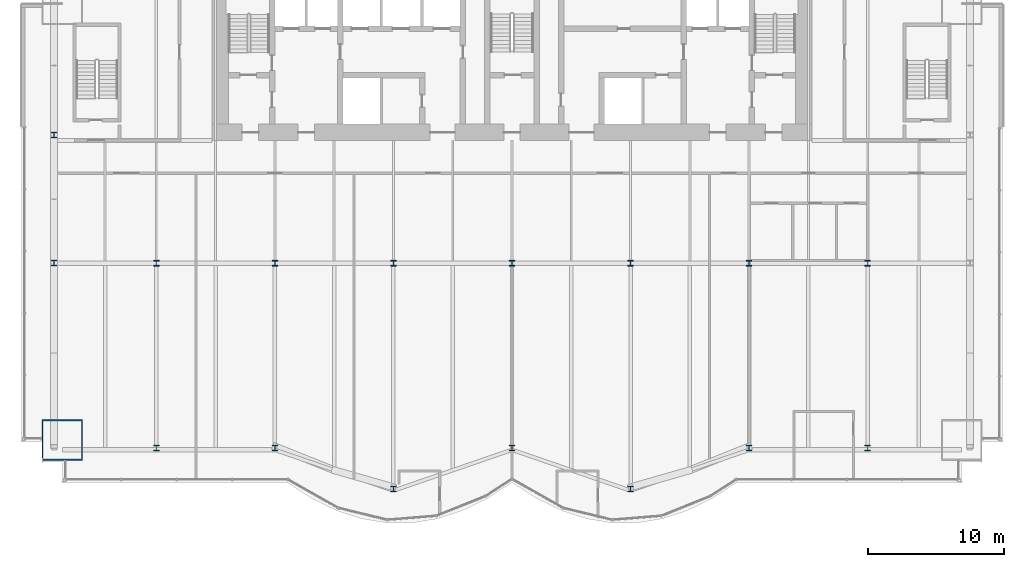
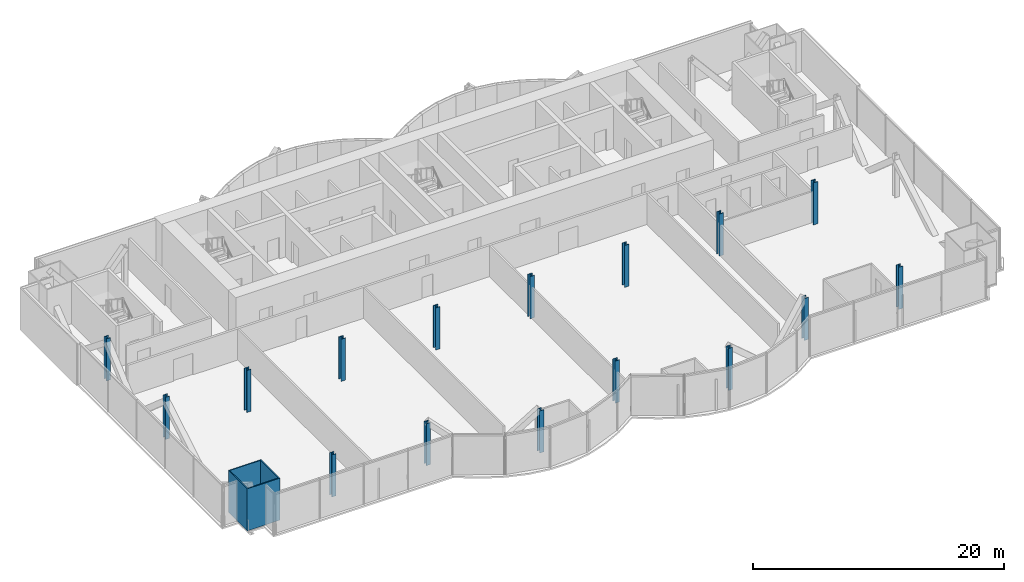
# One storey, part 1 of 21: 17 columns.
"""IFC4 building model written with IfcOpenShell, lengths in metres."""

from ifc_helpers import new_model, si_unit, direction, frame, origin, origin_2d, place, context, subcontext, project, spatial, hollow_rectangle, i_section, extrude, material, material_profile, profile_set, type_object, element, save


model = new_model("IFC4")

# Units and contexts
model_context = context("Model", 3, precision=1e-05, world=origin(), true_north=direction((0.0, 1.0)))
body_context = subcontext(model_context, "Body", "Model", "MODEL_VIEW")
ifc_project = project(units=[si_unit("LENGTHUNIT", "METRE"), si_unit("AREAUNIT", "SQUARE_METRE"), si_unit("VOLUMEUNIT", "CUBIC_METRE"), si_unit("PLANEANGLEUNIT", "RADIAN"), si_unit("MASSUNIT", "GRAM", prefix="KILO")], contexts=[model_context])

# Site, building, storey
site_placement = place(None, origin())
site = spatial("IfcSite", under=ifc_project, at=site_placement, CompositionType="ELEMENT")
building_placement = place(site_placement, origin())
building = spatial("IfcBuilding", under=site, at=building_placement, Name="Bicima Exchange Tower", CompositionType="ELEMENT")
storey_placement = place(building_placement, frame((0.0, 0.0, 106.300048828125)))
storey = spatial("IfcBuildingStorey", under=building, at=storey_placement, Name="L22", CompositionType="ELEMENT", Elevation=106.300048828125)

# Columns
ifc_material_1 = material(Name="Steel ASTM A992 Gr 50", Category="steel")
ifc_material_profile_1 = material_profile(ifc_material_1, i_section(OverallWidth=0.406494140625, OverallDepth=0.41650390625, WebThickness=0.030029296875, FlangeThickness=0.048095703125, at=origin_2d()))
ifc_profile_set_1 = profile_set([ifc_material_profile_1], Name="Steel ASTM A992 Gr 50")
column_type_1 = type_object("IfcColumnType", Name="Interior column W14x257", PredefinedType="COLUMN", material=ifc_profile_set_1)
for number, where, z_axis, x_axis, name in (
    (1, (-26.10009765625, -22.0, 0.0), (0.0, 0.0, 1.0), (1.0, 0.0, 0.0), "Interior column interior-26.1i"),
    (2, (-17.39990234375, -22.0, 0.0), (0.0, 0.0, 1.0), (1.0, 0.0, 0.0), "Interior column interior-17.4i"),
    (3, (-8.699951171875, -22.0, 0.0), (0.0, 0.0, 1.0), (1.0, 0.0, 0.0), "Interior column interior-8.7i"),
    (4, (0.0, -22.0, 0.0), (0.0, 0.0, 1.0), (1.0, 0.0, 0.0), "Interior column interior+0.0i"),
    (5, (8.699951171875, -22.0, 0.0), (0.0, 0.0, 1.0), (1.0, 0.0, 0.0), "Interior column interior+8.7i"),
    (6, (17.39990234375, -22.0, 0.0), (0.0, 0.0, 1.0), (1.0, 0.0, 0.0), "Interior column interior+17.4i"),
    (7, (26.10009765625, -22.0, 0.0), (0.0, 0.0, 1.0), (1.0, 0.0, 0.0), "Interior column interior+26.1i"),
):
    element("IfcColumn", number, at=place(storey_placement, frame(where, z_axis=z_axis, x_axis=x_axis)), inside=storey, type_object=column_type_1, Name=name, PredefinedType="COLUMN", context=body_context, shape_type="SweptSolid", body=[
        extrude(i_section(OverallWidth=0.406494140625, OverallDepth=0.41650390625, WebThickness=0.030029296875, FlangeThickness=0.048095703125, at=origin_2d()), origin(), (0.0, 0.0, 1.0), 4.099853515625),
    ])
ifc_material_2 = material(Name="Steel ASTM A572 Gr 50", Category="steel")
ifc_material_profile_2 = material_profile(ifc_material_2, hollow_rectangle(XDim=3.0, YDim=3.0, WallThickness=0.090087890625, at=origin_2d()))
ifc_profile_set_2 = profile_set([ifc_material_profile_2], Name="Steel ASTM A572 Gr 50")
column_type_2 = type_object("IfcColumnType", Name="Mega column BOX 3000x3000x90", PredefinedType="COLUMN", material=ifc_profile_set_2)
column_placement = place(storey_placement, frame((-33.0, -34.97412109375, 0.0), z_axis=(0.0, 0.0, 1.0), x_axis=(1.0, 0.0, 0.0)))
element("IfcColumn", 8, at=column_placement, inside=storey, type_object=column_type_2, Name="Mega column mega-33.0f", PredefinedType="COLUMN", context=body_context, shape_type="SweptSolid", body=[
    extrude(hollow_rectangle(XDim=3.0, YDim=3.0, WallThickness=0.090087890625, at=origin_2d()), origin(), (0.0, 0.0, 1.0), 4.099853515625),
])
ifc_material_profile_3 = material_profile(ifc_material_1, i_section(OverallWidth=0.398681640625, OverallDepth=0.393798828125, WebThickness=0.022705078125, FlangeThickness=0.03662109375, at=origin_2d()))
ifc_profile_set_3 = profile_set([ifc_material_profile_3], Name="Steel ASTM A992 Gr 50")
column_type_3 = type_object("IfcColumnType", Name="Perimeter column W14x193", PredefinedType="COLUMN", material=ifc_profile_set_3)
for number, where, z_axis, x_axis, name in (
    (9, (-26.10009765625, -35.573974609375, 0.0), (0.0, 0.0, 1.0), (1.0, 0.0, 0.0), "Perimeter column grav-26.1f"),
    (10, (-17.39990234375, -35.573974609375, 0.0), (0.0, 0.0, 1.0), (1.0, 0.0, 0.0), "Perimeter column grav-17.4f"),
    (11, (-8.699951171875, -38.565185546875, 0.0), (0.0, 0.0, 1.0), (1.0, 0.0, 0.0), "Perimeter column grav-8.7f"),
    (12, (0.0, -35.573974609375, 0.0), (0.0, 0.0, 1.0), (1.0, 0.0, 0.0), "Perimeter column grav-0.0f"),
    (13, (8.699951171875, -38.565185546875, 0.0), (0.0, 0.0, 1.0), (1.0, 0.0, 0.0), "Perimeter column grav+8.7f"),
    (14, (17.39990234375, -35.573974609375, 0.0), (0.0, 0.0, 1.0), (1.0, 0.0, 0.0), "Perimeter column grav+17.4f"),
    (15, (26.10009765625, -35.573974609375, 0.0), (0.0, 0.0, 1.0), (1.0, 0.0, 0.0), "Perimeter column grav+26.1f"),
    (16, (-33.60009765625, -12.60009765625, 0.0), (0.0, 0.0, 1.0), (1.0, 0.0, 0.0), "End column end-33.6e"),
    (17, (-33.60009765625, -22.0, 0.0), (0.0, 0.0, 1.0), (1.0, 0.0, 0.0), "End column end-33.6e"),
):
    element("IfcColumn", number, at=place(storey_placement, frame(where, z_axis=z_axis, x_axis=x_axis)), inside=storey, type_object=column_type_3, Name=name, PredefinedType="COLUMN", context=body_context, shape_type="SweptSolid", body=[
        extrude(i_section(OverallWidth=0.398681640625, OverallDepth=0.393798828125, WebThickness=0.022705078125, FlangeThickness=0.03662109375, at=origin_2d()), origin(), (0.0, 0.0, 1.0), 4.099853515625),
    ])

save(model, "model.ifc")
